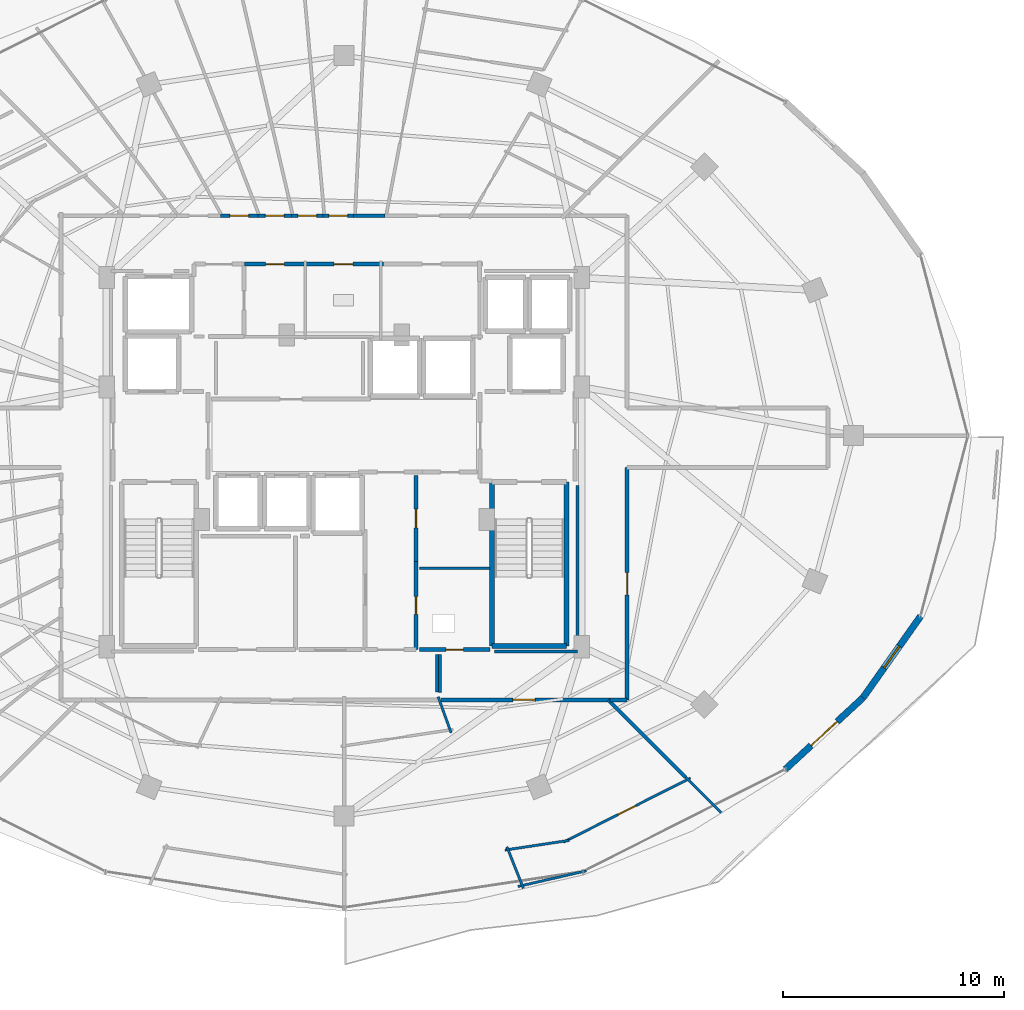
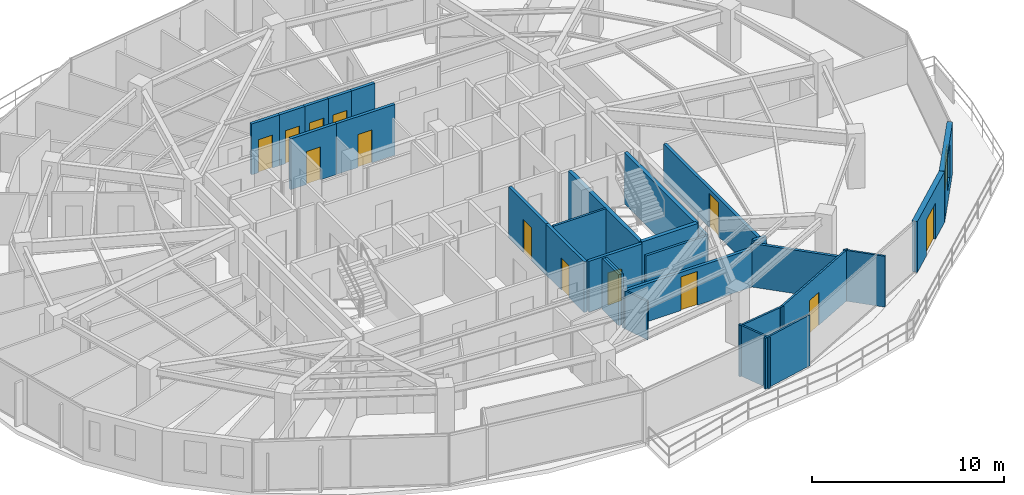
# One storey, part 27 of 33: 30 walls, 13 doors, 1 window, 14 openings.
"""IFC4 building model written with IfcOpenShell, lengths in metres."""

from ifc_helpers import new_model, si_unit, direction, frame, frame_2d, origin, place, context, subcontext, project, spatial, rectangle, extrude, material, layer, layer_set, type_object, element, fill, save


model = new_model("IFC4")

# Units and contexts
model_context = context("Model", 3, precision=1e-05, world=origin(), true_north=direction((0.0, 1.0)))
body_context = subcontext(model_context, "Body", "Model", "MODEL_VIEW")
ifc_project = project(units=[si_unit("LENGTHUNIT", "METRE"), si_unit("AREAUNIT", "SQUARE_METRE"), si_unit("VOLUMEUNIT", "CUBIC_METRE"), si_unit("PLANEANGLEUNIT", "RADIAN"), si_unit("MASSUNIT", "GRAM", prefix="KILO")], contexts=[model_context])

# Site, building, storey
site_placement = place(None, origin())
site = spatial("IfcSite", under=ifc_project, at=site_placement, CompositionType="ELEMENT")
building_placement = place(site_placement, origin())
building = spatial("IfcBuilding", under=site, at=building_placement, Name="Vorneva Point Tower", CompositionType="ELEMENT")
storey_placement = place(building_placement, frame((0.0, 0.0, 196.60009765625)))
storey = spatial("IfcBuildingStorey", under=building, at=storey_placement, Name="L53", CompositionType="ELEMENT", Elevation=196.60009765625)

# Wall, opening, door
ifc_material_1 = material(Name="Precast concrete B50 (C40/50)", Category="concrete")
ifc_layer_1 = layer(ifc_material_1, 0.300048828125)
ifc_layer_set_1 = layer_set([ifc_layer_1], Name="Precast concrete B50 (C40/50)")
wall_type_1 = type_object("IfcWallType", Name="WL-EXT-300", PredefinedType="STANDARD", material=ifc_layer_set_1)
wall_1_placement = place(storey_placement, frame((57.961669921875, 10.9033203125, 0.0), z_axis=(0.0, 0.0, 1.0), x_axis=(0.735359993374, 0.677676678177, 0.0)))
wall_1 = element("IfcWall", 1, at=wall_1_placement, inside=storey, type_object=wall_type_1, Name="L53 Pale-Metal Facade Spandrel Wall 15.1", PredefinedType="STANDARD", context=body_context, shape_type="SweptSolid", body=[
    extrude(rectangle(XDim=4.774169921875, YDim=0.300048828125, at=frame_2d((2.38720703125, 0.0))), origin(), (0.0, 0.0, 1.0), 3.239990234375),
])
opening_1_placement = place(wall_1_placement, frame((1.587158203125, 0.0, 0.0)))
opening_1 = element("IfcOpeningElement", 2, at=opening_1_placement, cuts=wall_1, Name="Opening BD-01", PredefinedType="OPENING", context=body_context, shape_type="SweptSolid", body=[
    extrude(rectangle(XDim=1.60009765625, YDim=2.300048828125, at=frame_2d((0.800048828125, 1.14990234375))), frame((0.0, 0.1650390625, 0.0), z_axis=(0.0, -1.0, 0.0), x_axis=(1.0, 0.0, 0.0)), (0.0, 0.0, 1.0), 0.329833984375),
])
ifc_material_2 = material(Name="Pale anodised aluminium", Category="aluminium")
door_type_1 = type_object("IfcDoorType", Name="DR-BAL-1600", OperationType="SLIDING_TO_LEFT", PredefinedType="DOOR", material=ifc_material_2)
door_1_placement = place(opening_1_placement, origin())
door_1 = element("IfcDoor", 3, at=door_1_placement, inside=storey, type_object=door_type_1, Name="L53 Balcony Terrace Access Door 15", OperationType="SLIDING_TO_LEFT", OverallHeight=2.300048828125, OverallWidth=1.60009765625, PredefinedType="DOOR", context=body_context, shape_type="SweptSolid", body=[
    extrude(rectangle(XDim=1.60009765625, YDim=2.300048828125, at=frame_2d((0.800048828125, 1.14990234375))), frame((0.0, 0.02490234375, 0.0), z_axis=(0.0, -1.0, 0.0), x_axis=(1.0, 0.0, 0.0)), (0.0, 0.0, 1.0), 0.050048828125),
])
fill(opening_1, door_1)

# Wall, opening, window
wall_2_placement = place(storey_placement, frame((61.472412109375, 14.138671875, 0.0), z_axis=(0.0, 0.0, 1.0), x_axis=(0.577168747264, 0.81662490605, 0.0)))
wall_2 = element("IfcWall", 4, at=wall_2_placement, inside=storey, type_object=wall_type_1, Name="L53 Pale-Metal Facade Spandrel Wall 15.2", PredefinedType="STANDARD", context=body_context, shape_type="SweptSolid", body=[
    extrude(rectangle(XDim=4.519775390625, YDim=0.300048828125, at=frame_2d((2.259765625, 0.0))), origin(), (0.0, 0.0, 1.0), 3.239990234375),
])
opening_2_placement = place(wall_2_placement, frame((1.659912109375, 0.0, 0.85009765625)))
opening_2 = element("IfcOpeningElement", 5, at=opening_2_placement, cuts=wall_2, Name="Opening W-04", PredefinedType="OPENING", context=body_context, shape_type="SweptSolid", body=[
    extrude(rectangle(XDim=1.199951171875, YDim=2.10009765625, at=frame_2d((0.60009765625, 1.050048828125))), frame((0.0, 0.1650390625, 0.0), z_axis=(0.0, -1.0, 0.0), x_axis=(1.0, 0.0, 0.0)), (0.0, 0.0, 1.0), 0.329833984375),
])
ifc_material_3 = material(Name="Double low-e laminated glass IGU", Category="glass")
window_type = type_object("IfcWindowType", Name="WN-RES-1200", PartitioningType="SINGLE_PANEL", PredefinedType="WINDOW", material=ifc_material_3)
window_placement = place(opening_2_placement, origin())
window = element("IfcWindow", 6, at=window_placement, inside=storey, type_object=window_type, Name="L53 Facade Window 15", OverallHeight=2.10009765625, OverallWidth=1.199951171875, PartitioningType="SINGLE_PANEL", PredefinedType="WINDOW", context=body_context, shape_type="SweptSolid", body=[
    extrude(rectangle(XDim=1.199951171875, YDim=2.10009765625, at=frame_2d((0.60009765625, 1.050048828125))), frame((0.0, 0.030029296875, 0.0), z_axis=(0.0, -1.0, 0.0), x_axis=(1.0, 0.0, 0.0)), (0.0, 0.0, 1.0), 0.06005859375),
])
fill(opening_2, window)

# Walls
ifc_material_4 = material(Name="Fire-rated acoustic gypsum stud partition", Category="gypsum")
ifc_layer_2 = layer(ifc_material_4, 0.110107421875)
ifc_layer_set_2 = layer_set([ifc_layer_2], Name="Fire-rated acoustic gypsum stud partition")
wall_type_2 = type_object("IfcWallType", Name="WL-PART-110", PredefinedType="PARTITIONING", material=ifc_layer_set_2)
wall_3_placement = place(storey_placement, frame((42.25439453125, 14.181640625, 0.0), z_axis=(0.0, 0.0, 1.0), x_axis=(0.339193876721, -0.940716489701, 0.0)))
element("IfcWall", 7, at=wall_3_placement, inside=storey, type_object=wall_type_2, Name="L53 Interior Partition 120", PredefinedType="PARTITIONING", context=body_context, shape_type="SweptSolid", body=[
    extrude(rectangle(XDim=1.73095703125, YDim=0.110107421875, at=frame_2d((0.865478515625, 0.0))), origin(), (0.0, 0.0, 1.0), 2.431884765625),
])
wall_4_placement = place(storey_placement, frame((46.109619140625, 5.516845703125, 0.0), z_axis=(0.0, 0.0, 1.0), x_axis=(-0.368148258243, 0.929767099844, 0.0)))
element("IfcWall", 8, at=wall_4_placement, inside=storey, type_object=wall_type_2, Name="L53 Interior Partition 122", PredefinedType="PARTITIONING", context=body_context, shape_type="SweptSolid", body=[
    extrude(rectangle(XDim=2.026611328125, YDim=0.110107421875, at=frame_2d((1.01318359375, 0.0))), origin(), (0.0, 0.0, 1.0), 3.239990234375),
])
wall_5_placement = place(storey_placement, frame((45.276611328125, 7.25, 0.0), z_axis=(0.0, 0.0, 1.0), x_axis=(0.988815285508, 0.149145335648, 0.0)))
element("IfcWall", 9, at=wall_5_placement, inside=storey, type_object=wall_type_2, Name="L53 Interior Partition 123", PredefinedType="PARTITIONING", context=body_context, shape_type="SweptSolid", body=[
    extrude(rectangle(XDim=2.936767578125, YDim=0.110107421875, at=frame_2d((1.46826171875, 0.0))), origin(), (0.0, 0.0, 1.0), 3.239990234375),
])

# Wall, opening, door
wall_6_placement = place(storey_placement, frame((47.9169921875, 7.60400390625, 0.0), z_axis=(0.0, 0.0, 1.0), x_axis=(0.892549884102, 0.450948671569, 0.0)))
wall_6 = element("IfcWall", 10, at=wall_6_placement, inside=storey, type_object=wall_type_2, Name="L53 Interior Partition 124", PredefinedType="PARTITIONING", context=body_context, shape_type="SweptSolid", body=[
    extrude(rectangle(XDim=6.451171875, YDim=0.110107421875, at=frame_2d((3.2255859375, 0.0))), origin(), (0.0, 0.0, 1.0), 3.239990234375),
])
opening_3_placement = place(wall_6_placement, frame((2.775634765625, 0.0, 0.0)))
opening_3 = element("IfcOpeningElement", 11, at=opening_3_placement, cuts=wall_6, Name="Opening ID-01", PredefinedType="OPENING", context=body_context, shape_type="SweptSolid", body=[
    extrude(rectangle(XDim=0.89990234375, YDim=2.10009765625, at=frame_2d((0.449951171875, 1.050048828125))), frame((0.0, 0.06982421875, 0.0), z_axis=(0.0, -1.0, 0.0), x_axis=(1.0, 0.0, 0.0)), (0.0, 0.0, 1.0), 0.139892578125),
])
ifc_material_5 = material(Name="Engineered oak fire-rated door leaf", Category="wood")
door_type_2 = type_object("IfcDoorType", Name="DR-ROOM-900", OperationType="NOTDEFINED", PredefinedType="DOOR", material=ifc_material_5)
door_2_placement = place(opening_3_placement, origin())
door_2 = element("IfcDoor", 12, at=door_2_placement, inside=storey, type_object=door_type_2, Name="L53 Door Studio Apartment L53-04 / Kitchen L53-04", OperationType="SINGLE_SWING_LEFT", OverallHeight=2.10009765625, OverallWidth=0.89990234375, PredefinedType="DOOR", context=body_context, shape_type="SweptSolid", body=[
    extrude(rectangle(XDim=0.89990234375, YDim=2.10009765625, at=frame_2d((0.449951171875, 1.050048828125))), frame((0.0, 0.02490234375, 0.0), z_axis=(0.0, -1.0, 0.0), x_axis=(1.0, 0.0, 0.0)), (0.0, 0.0, 1.0), 0.050048828125),
])
fill(opening_3, door_2)

# Walls
wall_7_placement = place(storey_placement, frame((53.450927734375, 10.549072265625, 0.0), z_axis=(0.0, 0.0, 1.0), x_axis=(0.707106781187, -0.707106781187, 0.0)))
element("IfcWall", 13, at=wall_7_placement, inside=storey, type_object=wall_type_2, Name="L53 Interior Partition 125", PredefinedType="PARTITIONING", context=body_context, shape_type="SweptSolid", body=[
    extrude(rectangle(XDim=2.27294921875, YDim=0.110107421875, at=frame_2d((1.136474609375, 0.0))), origin(), (0.0, 0.0, 1.0), 3.239990234375),
])
wall_8_placement = place(storey_placement, frame((45.862548828125, 5.601806640625, 0.0), z_axis=(0.0, 0.0, 1.0), x_axis=(0.974621780148, 0.223857958671, 0.0)))
element("IfcWall", 14, at=wall_8_placement, inside=storey, type_object=wall_type_2, Name="L53 Interior Partition 126", PredefinedType="PARTITIONING", context=body_context, shape_type="SweptSolid", body=[
    extrude(rectangle(XDim=3.169189453125, YDim=0.110107421875, at=frame_2d((1.58447265625, 0.0))), origin(), (0.0, 0.0, 1.0), 3.239990234375),
])
ifc_layer_3 = layer(ifc_material_4, 0.125)
ifc_layer_set_3 = layer_set([ifc_layer_3], Name="Fire-rated acoustic gypsum stud partition")
wall_type_3 = type_object("IfcWallType", Name="WL-PART-125", PredefinedType="PARTITIONING", material=ifc_layer_set_3)
wall_9_placement = place(storey_placement, frame((44.60009765625, 20.0, 0.0), z_axis=(0.0, 0.0, 1.0), x_axis=(-1.0, 0.0, 0.0)))
element("IfcWall", 15, at=wall_9_placement, inside=storey, type_object=wall_type_3, Name="L53 Interior Partition 017", PredefinedType="PARTITIONING", context=body_context, shape_type="SweptSolid", body=[
    extrude(rectangle(XDim=3.2001953125, YDim=0.125, at=frame_2d((1.60009765625, 0.0))), origin(), (0.0, 0.0, 1.0), 3.239990234375),
])
ifc_layer_4 = layer(ifc_material_4, 0.139892578125)
ifc_layer_set_4 = layer_set([ifc_layer_4], Name="Fire-rated acoustic gypsum stud partition")
wall_type_4 = type_object("IfcWallType", Name="WL-PART-140", PredefinedType="PARTITIONING", material=ifc_layer_set_4)
wall_10_placement = place(storey_placement, frame((48.550048828125, 16.239990234375, 0.0), z_axis=(0.0, 0.0, 1.0), x_axis=(0.0, 1.0, 0.0)))
element("IfcWall", 16, at=wall_10_placement, inside=storey, type_object=wall_type_4, Name="L53 Interior Closure Partition 138", PredefinedType="PARTITIONING", context=body_context, shape_type="SweptSolid", body=[
    extrude(rectangle(XDim=7.513916015625, YDim=0.139892578125, at=frame_2d((3.7568359375, 0.0))), origin(), (0.0, 0.0, 1.0), 2.431884765625),
])
wall_11_placement = place(storey_placement, frame((42.199951171875, 16.10009765625, 0.0), z_axis=(0.0, 0.0, 1.0), x_axis=(0.0, -1.0, 0.0)))
element("IfcWall", 17, at=wall_11_placement, inside=storey, type_object=wall_type_4, Name="L53 Interior Closure Partition 146", PredefinedType="PARTITIONING", context=body_context, shape_type="SweptSolid", body=[
    extrude(rectangle(XDim=1.705078125, YDim=0.139892578125, at=frame_2d((0.8525390625, 0.0))), origin(), (0.0, 0.0, 1.0), 3.239990234375),
])
wall_12_placement = place(storey_placement, frame((42.340087890625, 14.384033203125, 0.0), z_axis=(0.0, 0.0, 1.0), x_axis=(0.0, 1.0, 0.0)))
element("IfcWall", 18, at=wall_12_placement, inside=storey, type_object=wall_type_4, Name="L53 Interior Closure Partition 147", PredefinedType="PARTITIONING", context=body_context, shape_type="SweptSolid", body=[
    extrude(rectangle(XDim=1.716064453125, YDim=0.139892578125, at=frame_2d((0.85791015625, 0.0))), origin(), (0.0, 0.0, 1.0), 3.239990234375),
])
wall_13_placement = place(storey_placement, frame((44.804931640625, 16.239990234375, 0.0), z_axis=(0.0, 0.0, 1.0), x_axis=(1.0, 0.0, 0.0)))
element("IfcWall", 19, at=wall_13_placement, inside=storey, type_object=wall_type_4, Name="L53 Interior Closure Partition 148", PredefinedType="PARTITIONING", context=body_context, shape_type="SweptSolid", body=[
    extrude(rectangle(XDim=3.7451171875, YDim=0.139892578125, at=frame_2d((1.87255859375, 0.0))), origin(), (0.0, 0.0, 1.0), 2.431884765625),
])
ifc_layer_5 = layer(ifc_material_4, 0.159912109375)
ifc_layer_set_5 = layer_set([ifc_layer_5], Name="Fire-rated acoustic gypsum stud partition")
wall_type_5 = type_object("IfcWallType", Name="WL-PART-160", PredefinedType="PARTITIONING", material=ifc_layer_set_5)
wall_14_placement = place(storey_placement, frame((53.450927734375, 10.549072265625, 0.0), z_axis=(0.0, 0.0, 1.0), x_axis=(-0.707106781187, 0.707106781187, 0.0)))
element("IfcWall", 20, at=wall_14_placement, inside=storey, type_object=wall_type_5, Name="L53 Interior Partition 127", PredefinedType="PARTITIONING", context=body_context, shape_type="SweptSolid", body=[
    extrude(rectangle(XDim=4.951171875, YDim=0.159912109375, at=frame_2d((2.4755859375, 0.0))), origin(), (0.0, 0.0, 1.0), 2.77392578125),
])

# Wall, opening, door
ifc_material_6 = material(Name="Autoclaved aerated concrete blockwork", Category="masonry")
ifc_layer_6 = layer(ifc_material_6, 0.179931640625)
ifc_layer_set_6 = layer_set([ifc_layer_6], Name="Autoclaved aerated concrete blockwork")
wall_type_6 = type_object("IfcWallType", Name="WL-PART-180", PredefinedType="PARTITIONING", material=ifc_layer_set_6)
wall_15_placement = place(storey_placement, frame((41.25, 16.320068359375, 0.0), z_axis=(0.0, 0.0, 1.0), x_axis=(0.0, 1.0, 0.0)))
wall_15 = element("IfcWall", 21, at=wall_15_placement, inside=storey, type_object=wall_type_6, Name="L53 Interior Partition 013", PredefinedType="PARTITIONING", context=body_context, shape_type="SweptSolid", body=[
    extrude(rectangle(XDim=3.98486328125, YDim=0.179931640625, at=frame_2d((1.992431640625, 0.0))), origin(), (0.0, 0.0, 1.0), 3.239990234375),
])
opening_4_placement = place(wall_15_placement, frame((1.592529296875, 0.0, 0.0)))
opening_4 = element("IfcOpeningElement", 22, at=opening_4_placement, cuts=wall_15, Name="Opening RD-01", PredefinedType="OPENING", context=body_context, shape_type="SweptSolid", body=[
    extrude(rectangle(XDim=0.800048828125, YDim=2.050048828125, at=frame_2d((0.39990234375, 1.02490234375))), frame((0.0, 0.10498046875, 0.0), z_axis=(0.0, -1.0, 0.0), x_axis=(1.0, 0.0, 0.0)), (0.0, 0.0, 1.0), 0.209716796875),
])
ifc_material_7 = material(Name="Fire-rated powder-coated steel", Category="steel")
door_type_3 = type_object("IfcDoorType", Name="DR-RSR-800", OperationType="SINGLE_SWING_LEFT", PredefinedType="DOOR", material=ifc_material_7)
door_3_placement = place(opening_4_placement, origin())
door_3 = element("IfcDoor", 23, at=door_3_placement, inside=storey, type_object=door_type_3, Name="L53 Door Core Service Lobby / Electrical Riser", OperationType="SINGLE_SWING_RIGHT", OverallHeight=2.050048828125, OverallWidth=0.800048828125, PredefinedType="DOOR", context=body_context, shape_type="SweptSolid", body=[
    extrude(rectangle(XDim=0.800048828125, YDim=2.050048828125, at=frame_2d((0.39990234375, 1.02490234375))), frame((0.0, 0.02490234375, 0.0), z_axis=(0.0, -1.0, 0.0), x_axis=(1.0, 0.0, 0.0)), (0.0, 0.0, 1.0), 0.050048828125),
])
fill(opening_4, door_3)

wall_16_placement = place(storey_placement, frame((41.25, 20.304931640625, 0.0), z_axis=(0.0, 0.0, 1.0), x_axis=(0.0, 1.0, 0.0)))
wall_16 = element("IfcWall", 24, at=wall_16_placement, inside=storey, type_object=wall_type_6, Name="L53 Interior Partition 014", PredefinedType="PARTITIONING", context=body_context, shape_type="SweptSolid", body=[
    extrude(rectangle(XDim=3.89501953125, YDim=0.179931640625, at=frame_2d((1.947509765625, 0.0))), origin(), (0.0, 0.0, 1.0), 3.239990234375),
])
opening_5_placement = place(wall_16_placement, frame((1.5224609375, 0.0, 0.0)))
opening_5 = element("IfcOpeningElement", 25, at=opening_5_placement, cuts=wall_16, Name="Opening ID-02", PredefinedType="OPENING", context=body_context, shape_type="SweptSolid", body=[
    extrude(rectangle(XDim=0.85009765625, YDim=2.10009765625, at=frame_2d((0.425048828125, 1.050048828125))), frame((0.0, 0.10498046875, 0.0), z_axis=(0.0, -1.0, 0.0), x_axis=(1.0, 0.0, 0.0)), (0.0, 0.0, 1.0), 0.209716796875),
])
door_type_4 = type_object("IfcDoorType", Name="DR-BATH-850", OperationType="NOTDEFINED", PredefinedType="DOOR", material=ifc_material_5)
door_4_placement = place(opening_5_placement, origin())
door_4 = element("IfcDoor", 26, at=door_4_placement, inside=storey, type_object=door_type_4, Name="L53 Door Core Service Lobby / Valet and Parcel Room", OperationType="SINGLE_SWING_LEFT", OverallHeight=2.10009765625, OverallWidth=0.85009765625, PredefinedType="DOOR", context=body_context, shape_type="SweptSolid", body=[
    extrude(rectangle(XDim=0.85009765625, YDim=2.10009765625, at=frame_2d((0.425048828125, 1.050048828125))), frame((0.0, 0.02490234375, 0.0), z_axis=(0.0, -1.0, 0.0), x_axis=(1.0, 0.0, 0.0)), (0.0, 0.0, 1.0), 0.050048828125),
])
fill(opening_5, door_4)

wall_17_placement = place(storey_placement, frame((41.39990234375, 16.320068359375, 0.0), z_axis=(0.0, 0.0, 1.0), x_axis=(1.0, 0.0, 0.0)))
wall_17 = element("IfcWall", 27, at=wall_17_placement, inside=storey, type_object=wall_type_6, Name="L53 Interior Partition 018", PredefinedType="PARTITIONING", context=body_context, shape_type="SweptSolid", body=[
    extrude(rectangle(XDim=3.2001953125, YDim=0.179931640625, at=frame_2d((1.60009765625, 0.0))), origin(), (0.0, 0.0, 1.0), 3.239990234375),
])
opening_6_placement = place(wall_17_placement, frame((1.199951171875, 0.0, 0.0)))
opening_6 = element("IfcOpeningElement", 28, at=opening_6_placement, cuts=wall_17, Name="Opening RD-01", PredefinedType="OPENING", context=body_context, shape_type="SweptSolid", body=[
    extrude(rectangle(XDim=0.800048828125, YDim=2.050048828125, at=frame_2d((0.39990234375, 1.02490234375))), frame((0.0, 0.10498046875, 0.0), z_axis=(0.0, -1.0, 0.0), x_axis=(1.0, 0.0, 0.0)), (0.0, 0.0, 1.0), 0.209716796875),
])
door_5_placement = place(opening_6_placement, origin())
door_5 = element("IfcDoor", 29, at=door_5_placement, inside=storey, type_object=door_type_3, Name="L53 Door Electrical Riser / L53 Circulation Corridor", OperationType="SINGLE_SWING_RIGHT", OverallHeight=2.050048828125, OverallWidth=0.800048828125, PredefinedType="DOOR", context=body_context, shape_type="SweptSolid", body=[
    extrude(rectangle(XDim=0.800048828125, YDim=2.050048828125, at=frame_2d((0.39990234375, 1.02490234375))), frame((0.0, 0.02490234375, 0.0), z_axis=(0.0, -1.0, 0.0), x_axis=(1.0, 0.0, 0.0)), (0.0, 0.0, 1.0), 0.050048828125),
])
fill(opening_6, door_5)

wall_18_placement = place(storey_placement, frame((36.25, 33.760009765625, 0.0), z_axis=(0.0, 0.0, 1.0), x_axis=(-1.0, 0.0, 0.0)))
wall_18 = element("IfcWall", 30, at=wall_18_placement, inside=storey, type_object=wall_type_6, Name="L53 Interior Partition 021", PredefinedType="PARTITIONING", context=body_context, shape_type="SweptSolid", body=[
    extrude(rectangle(XDim=2.75, YDim=0.179931640625, at=frame_2d((1.375, 0.0))), origin(), (0.0, 0.0, 1.0), 3.239990234375),
])
opening_7_placement = place(wall_18_placement, frame((0.949951171875, 0.0, 0.0)))
opening_7 = element("IfcOpeningElement", 31, at=opening_7_placement, cuts=wall_18, Name="Opening ID-02", PredefinedType="OPENING", context=body_context, shape_type="SweptSolid", body=[
    extrude(rectangle(XDim=0.85009765625, YDim=2.10009765625, at=frame_2d((0.425048828125, 1.050048828125))), frame((0.0, 0.10498046875, 0.0), z_axis=(0.0, -1.0, 0.0), x_axis=(1.0, 0.0, 0.0)), (0.0, 0.0, 1.0), 0.209716796875),
])
door_6_placement = place(opening_7_placement, origin())
door_6 = element("IfcDoor", 32, at=door_6_placement, inside=storey, type_object=door_type_4, Name="L53 Door Core Supply Store / L53 Circulation Corridor", OperationType="SINGLE_SWING_LEFT", OverallHeight=2.10009765625, OverallWidth=0.85009765625, PredefinedType="DOOR", context=body_context, shape_type="SweptSolid", body=[
    extrude(rectangle(XDim=0.85009765625, YDim=2.10009765625, at=frame_2d((0.425048828125, 1.050048828125))), frame((0.0, 0.02490234375, 0.0), z_axis=(0.0, -1.0, 0.0), x_axis=(1.0, 0.0, 0.0)), (0.0, 0.0, 1.0), 0.050048828125),
])
fill(opening_7, door_6)

wall_19_placement = place(storey_placement, frame((39.7900390625, 33.760009765625, 0.0), z_axis=(0.0, 0.0, 1.0), x_axis=(-1.0, 0.0, 0.0)))
wall_19 = element("IfcWall", 33, at=wall_19_placement, inside=storey, type_object=wall_type_6, Name="L53 Interior Partition 024", PredefinedType="PARTITIONING", context=body_context, shape_type="SweptSolid", body=[
    extrude(rectangle(XDim=3.630126953125, YDim=0.179931640625, at=frame_2d((1.81494140625, 0.0))), origin(), (0.0, 0.0, 1.0), 3.239990234375),
])
opening_8_placement = place(wall_19_placement, frame((1.389892578125, 0.0, 0.0)))
opening_8 = element("IfcOpeningElement", 34, at=opening_8_placement, cuts=wall_19, Name="Opening ID-02", PredefinedType="OPENING", context=body_context, shape_type="SweptSolid", body=[
    extrude(rectangle(XDim=0.85009765625, YDim=2.10009765625, at=frame_2d((0.425048828125, 1.050048828125))), frame((0.0, 0.10498046875, 0.0), z_axis=(0.0, -1.0, 0.0), x_axis=(1.0, 0.0, 0.0)), (0.0, 0.0, 1.0), 0.209716796875),
])
door_7_placement = place(opening_8_placement, origin())
door_7 = element("IfcDoor", 35, at=door_7_placement, inside=storey, type_object=door_type_4, Name="L53 Door Accessible WC / L53 Circulation Corridor", OperationType="SINGLE_SWING_RIGHT", OverallHeight=2.10009765625, OverallWidth=0.85009765625, PredefinedType="DOOR", context=body_context, shape_type="SweptSolid", body=[
    extrude(rectangle(XDim=0.85009765625, YDim=2.10009765625, at=frame_2d((0.425048828125, 1.050048828125))), frame((0.0, 0.02490234375, 0.0), z_axis=(0.0, -1.0, 0.0), x_axis=(1.0, 0.0, 0.0)), (0.0, 0.0, 1.0), 0.050048828125),
])
fill(opening_8, door_7)

# Wall
wall_20_placement = place(storey_placement, frame((39.837890625, 35.949951171875, 0.0), z_axis=(0.0, 0.0, 1.0), x_axis=(-1.0, 0.0, 0.0)))
element("IfcWall", 36, at=wall_20_placement, inside=storey, type_object=wall_type_6, Name="L53 Interior Partition 032", PredefinedType="PARTITIONING", context=body_context, shape_type="SweptSolid", body=[
    extrude(rectangle(XDim=1.406005859375, YDim=0.179931640625, at=frame_2d((0.703125, 0.0))), origin(), (0.0, 0.0, 1.0), 3.239990234375),
])

# Wall, opening, door
wall_21_placement = place(storey_placement, frame((38.431884765625, 35.949951171875, 0.0), z_axis=(0.0, 0.0, 1.0), x_axis=(-1.0, 0.0, 0.0)))
wall_21 = element("IfcWall", 37, at=wall_21_placement, inside=storey, type_object=wall_type_6, Name="L53 Interior Partition 033", PredefinedType="PARTITIONING", context=body_context, shape_type="SweptSolid", body=[
    extrude(rectangle(XDim=1.387939453125, YDim=0.179931640625, at=frame_2d((0.69384765625, 0.0))), origin(), (0.0, 0.0, 1.0), 3.239990234375),
])
opening_9_placement = place(wall_21_placement, frame((0.26904296875, 0.0, 0.0)))
opening_9 = element("IfcOpeningElement", 38, at=opening_9_placement, cuts=wall_21, Name="Opening ID-02", PredefinedType="OPENING", context=body_context, shape_type="SweptSolid", body=[
    extrude(rectangle(XDim=0.85009765625, YDim=2.10009765625, at=frame_2d((0.425048828125, 1.050048828125))), frame((0.0, 0.10498046875, 0.0), z_axis=(0.0, -1.0, 0.0), x_axis=(1.0, 0.0, 0.0)), (0.0, 0.0, 1.0), 0.209716796875),
])
door_8_placement = place(opening_9_placement, origin())
door_8 = element("IfcDoor", 39, at=door_8_placement, inside=storey, type_object=door_type_4, Name="L53 Access Door L53 Circulation Corridor", OperationType="SINGLE_SWING_RIGHT", OverallHeight=2.10009765625, OverallWidth=0.85009765625, PredefinedType="DOOR", context=body_context, shape_type="SweptSolid", body=[
    extrude(rectangle(XDim=0.85009765625, YDim=2.10009765625, at=frame_2d((0.425048828125, 1.050048828125))), frame((0.0, 0.02490234375, 0.0), z_axis=(0.0, -1.0, 0.0), x_axis=(1.0, 0.0, 0.0)), (0.0, 0.0, 1.0), 0.050048828125),
])
fill(opening_9, door_8)

wall_22_placement = place(storey_placement, frame((37.0439453125, 35.949951171875, 0.0), z_axis=(0.0, 0.0, 1.0), x_axis=(-1.0, 0.0, 0.0)))
wall_22 = element("IfcWall", 40, at=wall_22_placement, inside=storey, type_object=wall_type_6, Name="L53 Interior Partition 034", PredefinedType="PARTITIONING", context=body_context, shape_type="SweptSolid", body=[
    extrude(rectangle(XDim=1.423828125, YDim=0.179931640625, at=frame_2d((0.7119140625, 0.0))), origin(), (0.0, 0.0, 1.0), 3.239990234375),
])
opening_10_placement = place(wall_22_placement, frame((0.287109375, 0.0, 0.0)))
opening_10 = element("IfcOpeningElement", 41, at=opening_10_placement, cuts=wall_22, Name="Opening ID-02", PredefinedType="OPENING", context=body_context, shape_type="SweptSolid", body=[
    extrude(rectangle(XDim=0.85009765625, YDim=2.10009765625, at=frame_2d((0.425048828125, 1.050048828125))), frame((0.0, 0.10498046875, 0.0), z_axis=(0.0, -1.0, 0.0), x_axis=(1.0, 0.0, 0.0)), (0.0, 0.0, 1.0), 0.209716796875),
])
door_9_placement = place(opening_10_placement, origin())
door_9 = element("IfcDoor", 42, at=door_9_placement, inside=storey, type_object=door_type_4, Name="L53 Access Door L53 Circulation Corridor", OperationType="SINGLE_SWING_LEFT", OverallHeight=2.10009765625, OverallWidth=0.85009765625, PredefinedType="DOOR", context=body_context, shape_type="SweptSolid", body=[
    extrude(rectangle(XDim=0.85009765625, YDim=2.10009765625, at=frame_2d((0.425048828125, 1.050048828125))), frame((0.0, 0.02490234375, 0.0), z_axis=(0.0, -1.0, 0.0), x_axis=(1.0, 0.0, 0.0)), (0.0, 0.0, 1.0), 0.050048828125),
])
fill(opening_10, door_9)

wall_23_placement = place(storey_placement, frame((35.6201171875, 35.949951171875, 0.0), z_axis=(0.0, 0.0, 1.0), x_axis=(-1.0, 0.0, 0.0)))
wall_23 = element("IfcWall", 43, at=wall_23_placement, inside=storey, type_object=wall_type_6, Name="L53 Interior Partition 035", PredefinedType="PARTITIONING", context=body_context, shape_type="SweptSolid", body=[
    extrude(rectangle(XDim=1.52099609375, YDim=0.179931640625, at=frame_2d((0.760498046875, 0.0))), origin(), (0.0, 0.0, 1.0), 3.239990234375),
])
opening_11_placement = place(wall_23_placement, frame((0.33544921875, 0.0, 0.0)))
opening_11 = element("IfcOpeningElement", 44, at=opening_11_placement, cuts=wall_23, Name="Opening ID-02", PredefinedType="OPENING", context=body_context, shape_type="SweptSolid", body=[
    extrude(rectangle(XDim=0.85009765625, YDim=2.10009765625, at=frame_2d((0.425048828125, 1.050048828125))), frame((0.0, 0.10498046875, 0.0), z_axis=(0.0, -1.0, 0.0), x_axis=(1.0, 0.0, 0.0)), (0.0, 0.0, 1.0), 0.209716796875),
])
door_10_placement = place(opening_11_placement, origin())
door_10 = element("IfcDoor", 45, at=door_10_placement, inside=storey, type_object=door_type_4, Name="L53 Access Door L53 Circulation Corridor", OperationType="SINGLE_SWING_RIGHT", OverallHeight=2.10009765625, OverallWidth=0.85009765625, PredefinedType="DOOR", context=body_context, shape_type="SweptSolid", body=[
    extrude(rectangle(XDim=0.85009765625, YDim=2.10009765625, at=frame_2d((0.425048828125, 1.050048828125))), frame((0.0, 0.02490234375, 0.0), z_axis=(0.0, -1.0, 0.0), x_axis=(1.0, 0.0, 0.0)), (0.0, 0.0, 1.0), 0.050048828125),
])
fill(opening_11, door_10)

wall_24_placement = place(storey_placement, frame((34.09912109375, 35.949951171875, 0.0), z_axis=(0.0, 0.0, 1.0), x_axis=(-1.0, 0.0, 0.0)))
wall_24 = element("IfcWall", 46, at=wall_24_placement, inside=storey, type_object=wall_type_6, Name="L53 Interior Partition 036", PredefinedType="PARTITIONING", context=body_context, shape_type="SweptSolid", body=[
    extrude(rectangle(XDim=1.696044921875, YDim=0.179931640625, at=frame_2d((0.84814453125, 0.0))), origin(), (0.0, 0.0, 1.0), 3.239990234375),
])
opening_12_placement = place(wall_24_placement, frame((0.423095703125, 0.0, 0.0)))
opening_12 = element("IfcOpeningElement", 47, at=opening_12_placement, cuts=wall_24, Name="Opening ID-02", PredefinedType="OPENING", context=body_context, shape_type="SweptSolid", body=[
    extrude(rectangle(XDim=0.85009765625, YDim=2.10009765625, at=frame_2d((0.425048828125, 1.050048828125))), frame((0.0, 0.10498046875, 0.0), z_axis=(0.0, -1.0, 0.0), x_axis=(1.0, 0.0, 0.0)), (0.0, 0.0, 1.0), 0.209716796875),
])
door_11_placement = place(opening_12_placement, origin())
door_11 = element("IfcDoor", 48, at=door_11_placement, inside=storey, type_object=door_type_4, Name="L53 Access Door L53 Circulation Corridor", OperationType="SINGLE_SWING_LEFT", OverallHeight=2.10009765625, OverallWidth=0.85009765625, PredefinedType="DOOR", context=body_context, shape_type="SweptSolid", body=[
    extrude(rectangle(XDim=0.85009765625, YDim=2.10009765625, at=frame_2d((0.425048828125, 1.050048828125))), frame((0.0, 0.02490234375, 0.0), z_axis=(0.0, -1.0, 0.0), x_axis=(1.0, 0.0, 0.0)), (0.0, 0.0, 1.0), 0.050048828125),
])
fill(opening_12, door_11)

wall_25_placement = place(storey_placement, frame((42.241943359375, 14.050048828125, 0.0), z_axis=(0.0, 0.0, 1.0), x_axis=(1.0, 0.0, 0.0)))
wall_25 = element("IfcWall", 49, at=wall_25_placement, inside=storey, type_object=wall_type_6, Name="L53 Interior Partition 058", PredefinedType="PARTITIONING", context=body_context, shape_type="SweptSolid", body=[
    extrude(rectangle(XDim=7.79296875, YDim=0.179931640625, at=frame_2d((3.896484375, 0.0))), origin(), (0.0, 0.0, 1.0), 2.431884765625),
])
opening_13_placement = place(wall_25_placement, frame((3.396484375, 0.0, 0.0)))
opening_13 = element("IfcOpeningElement", 50, at=opening_13_placement, cuts=wall_25, Name="Opening UD-01", PredefinedType="OPENING", context=body_context, shape_type="SweptSolid", body=[
    extrude(rectangle(XDim=1.0, YDim=2.14990234375, at=frame_2d((0.5, 1.074951171875))), frame((0.0, 0.10498046875, 0.0), z_axis=(0.0, -1.0, 0.0), x_axis=(1.0, 0.0, 0.0)), (0.0, 0.0, 1.0), 0.209716796875),
])
door_type_5 = type_object("IfcDoorType", Name="DR-UNIT-1000", OperationType="NOTDEFINED", PredefinedType="DOOR", material=ifc_material_5)
door_12_placement = place(opening_13_placement, origin())
door_12 = element("IfcDoor", 51, at=door_12_placement, inside=storey, type_object=door_type_5, Name="L53 Door L53 Circulation Corridor / Studio Apartment L53-04", OperationType="SINGLE_SWING_LEFT", OverallHeight=2.14990234375, OverallWidth=1.0, PredefinedType="DOOR", context=body_context, shape_type="SweptSolid", body=[
    extrude(rectangle(XDim=1.0, YDim=2.14990234375, at=frame_2d((0.5, 1.074951171875))), frame((0.0, 0.02490234375, 0.0), z_axis=(0.0, -1.0, 0.0), x_axis=(1.0, 0.0, 0.0)), (0.0, 0.0, 1.0), 0.050048828125),
])
fill(opening_13, door_12)

# Wall
wall_26_placement = place(storey_placement, frame((50.034912109375, 14.050048828125, 0.0), z_axis=(0.0, 0.0, 1.0), x_axis=(1.0, 0.0, 0.0)))
element("IfcWall", 52, at=wall_26_placement, inside=storey, type_object=wall_type_6, Name="L53 Interior Partition 060", PredefinedType="PARTITIONING", context=body_context, shape_type="SweptSolid", body=[
    extrude(rectangle(XDim=0.76513671875, YDim=0.179931640625, at=frame_2d((0.382568359375, 0.0))), origin(), (0.0, 0.0, 1.0), 2.921875),
])

# Wall, opening, door
wall_27_placement = place(storey_placement, frame((50.800048828125, 14.050048828125, 0.0), z_axis=(0.0, 0.0, 1.0), x_axis=(0.0, 1.0, 0.0)))
wall_27 = element("IfcWall", 53, at=wall_27_placement, inside=storey, type_object=wall_type_6, Name="L53 Interior Partition 061", PredefinedType="PARTITIONING", context=body_context, shape_type="SweptSolid", body=[
    extrude(rectangle(XDim=10.5, YDim=0.179931640625, at=frame_2d((5.25, 0.0))), origin(), (0.0, 0.0, 1.0), 2.431884765625),
])
opening_14_placement = place(wall_27_placement, frame((4.75, 0.0, 0.0)))
opening_14 = element("IfcOpeningElement", 54, at=opening_14_placement, cuts=wall_27, Name="Opening UD-01", PredefinedType="OPENING", context=body_context, shape_type="SweptSolid", body=[
    extrude(rectangle(XDim=1.0, YDim=2.14990234375, at=frame_2d((0.5, 1.074951171875))), frame((0.0, 0.10498046875, 0.0), z_axis=(0.0, -1.0, 0.0), x_axis=(1.0, 0.0, 0.0)), (0.0, 0.0, 1.0), 0.209716796875),
])
door_13_placement = place(opening_14_placement, origin())
door_13 = element("IfcDoor", 55, at=door_13_placement, inside=storey, type_object=door_type_5, Name="L53 Door L53 Circulation Corridor / Residents Sky Lounge L53-05", OperationType="SINGLE_SWING_RIGHT", OverallHeight=2.14990234375, OverallWidth=1.0, PredefinedType="DOOR", context=body_context, shape_type="SweptSolid", body=[
    extrude(rectangle(XDim=1.0, YDim=2.14990234375, at=frame_2d((0.5, 1.074951171875))), frame((0.0, 0.02490234375, 0.0), z_axis=(0.0, -1.0, 0.0), x_axis=(1.0, 0.0, 0.0)), (0.0, 0.0, 1.0), 0.050048828125),
])
fill(opening_14, door_13)

# Walls
ifc_material_8 = material(Name="Concrete B50 (C40/50)", Category="concrete")
ifc_layer_7 = layer(ifc_material_8, 0.219970703125)
ifc_layer_set_7 = layer_set([ifc_layer_7], Name="Concrete B50 (C40/50)")
wall_type_7 = type_object("IfcWallType", Name="WL-SHFT-220", PredefinedType="SOLIDWALL", material=ifc_layer_set_7)
wall_28_placement = place(storey_placement, frame((48.06005859375, 23.909912109375, 0.0), z_axis=(0.0, 0.0, 1.0), x_axis=(0.0, -1.0, 0.0)))
element("IfcWall", 56, at=wall_28_placement, inside=storey, type_object=wall_type_7, Name="L53 Exit Stair ST2 Shaft Wall right", PredefinedType="SOLIDWALL", context=body_context, shape_type="SweptSolid", body=[
    extrude(rectangle(XDim=7.419921875, YDim=0.219970703125, at=frame_2d((3.7099609375, 0.0))), origin(), (0.0, 0.0, 1.0), 3.239990234375),
])
wall_29_placement = place(storey_placement, frame((48.06005859375, 16.489990234375, 0.0), z_axis=(0.0, 0.0, 1.0), x_axis=(-1.0, 0.0, 0.0)))
element("IfcWall", 57, at=wall_29_placement, inside=storey, type_object=wall_type_7, Name="L53 Exit Stair ST2 Shaft Wall far", PredefinedType="SOLIDWALL", context=body_context, shape_type="SweptSolid", body=[
    extrude(rectangle(XDim=3.3701171875, YDim=0.219970703125, at=frame_2d((1.68505859375, 0.0))), origin(), (0.0, 0.0, 1.0), 3.239990234375),
])
wall_30_placement = place(storey_placement, frame((44.68994140625, 16.489990234375, 0.0), z_axis=(0.0, 0.0, 1.0), x_axis=(0.0, 1.0, 0.0)))
element("IfcWall", 58, at=wall_30_placement, inside=storey, type_object=wall_type_7, Name="L53 Exit Stair ST2 Shaft Wall left", PredefinedType="SOLIDWALL", context=body_context, shape_type="SweptSolid", body=[
    extrude(rectangle(XDim=7.419921875, YDim=0.219970703125, at=frame_2d((3.7099609375, 0.0))), origin(), (0.0, 0.0, 1.0), 3.239990234375),
])

save(model, "model.ifc")
